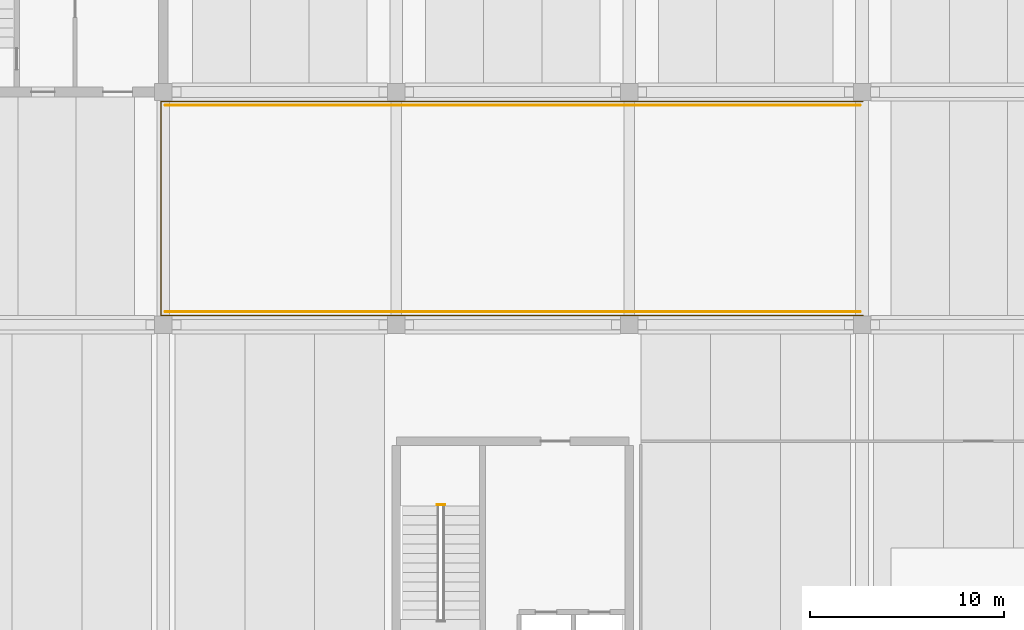
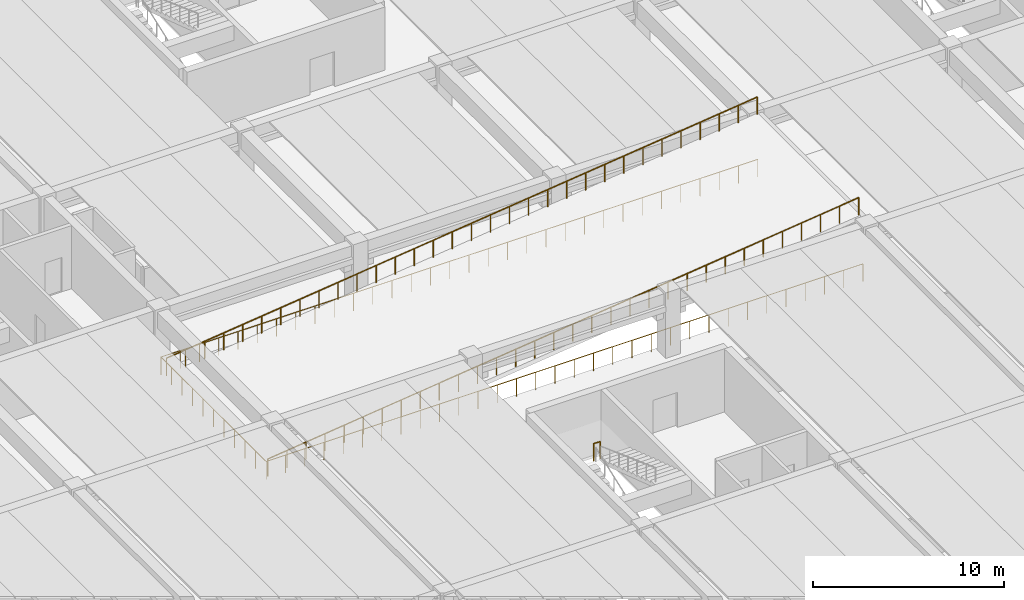
# One storey, part 46 of 50: 4 railings.
"""IFC4 building model written with IfcOpenShell, lengths in metres."""

from ifc_helpers import new_model, si_unit, direction, frame, origin, origin_2d, place, context, subcontext, project, spatial, circle, extrude, material, layer, layer_set, type_object, element, save


model = new_model("IFC4")

# Units and contexts
model_context = context("Model", 3, precision=1e-05, world=origin(), true_north=direction((0.0, 1.0)))
body_context = subcontext(model_context, "Body", "Model", "MODEL_VIEW")
ifc_project = project(units=[si_unit("LENGTHUNIT", "METRE"), si_unit("AREAUNIT", "SQUARE_METRE"), si_unit("VOLUMEUNIT", "CUBIC_METRE"), si_unit("PLANEANGLEUNIT", "RADIAN"), si_unit("MASSUNIT", "GRAM", prefix="KILO")], contexts=[model_context])

# Site, building, storey
site_placement = place(None, origin())
site = spatial("IfcSite", under=ifc_project, at=site_placement, CompositionType="ELEMENT")
building_placement = place(site_placement, origin())
building = spatial("IfcBuilding", under=site, at=building_placement, Name="Girod Span Mobility Hub", CompositionType="ELEMENT")
storey_placement = place(building_placement, frame((0.0, 0.0, 5.39990234375)))
storey = spatial("IfcBuildingStorey", under=building, at=storey_placement, Name="L01", CompositionType="ELEMENT", Elevation=5.39990234375)

# Railings
ifc_material_1 = material(Name="Painted Galvanised Steel", Category="steel")
ifc_layer_1 = layer(ifc_material_1, 0.06494140625)
ifc_layer_set_1 = layer_set([ifc_layer_1], Name="Painted Galvanised Steel")
railing_type_1 = type_object("IfcRailingType", Name="RL-GRD-1120", PredefinedType="GUARDRAIL", material=ifc_layer_set_1)
railing_1_placement = place(storey_placement, frame((60.10009765625, 45.679931640625, 0.0)))
element("IfcRailing", 1, at=railing_1_placement, inside=storey, type_object=railing_type_1, Name="Vehicular Ramp Guardrail L01-S", PredefinedType="GUARDRAIL", context=body_context, shape_type="SweptSolid", body=[
    extrude(circle(Radius=0.02392578125, at=origin_2d()), frame((0.0, 0.0, 1.09619140625), z_axis=(0.993187725485, 0.0, 0.116525284577), x_axis=(0.0, 1.0, 0.0)), (0.0, 0.0, 1.0), 36.04541015625),
    extrude(circle(Radius=0.02099609375, at=origin_2d()), origin(), (0.0, 0.0, 1.0), 1.072021484375),
    extrude(circle(Radius=0.02099609375, at=origin_2d()), frame((1.15478515625, 0.0, 0.135498046875)), (0.0, 0.0, 1.0), 1.072021484375),
    extrude(circle(Radius=0.02099609375, at=origin_2d()), frame((2.3095703125, 0.0, 0.27099609375)), (0.0, 0.0, 1.0), 1.072021484375),
    extrude(circle(Radius=0.02099609375, at=origin_2d()), frame((3.464599609375, 0.0, 0.406494140625)), (0.0, 0.0, 1.0), 1.072021484375),
    extrude(circle(Radius=0.02099609375, at=origin_2d()), frame((4.619384765625, 0.0, 0.5419921875)), (0.0, 0.0, 1.0), 1.072021484375),
    extrude(circle(Radius=0.02099609375, at=origin_2d()), frame((5.774169921875, 0.0, 0.677490234375)), (0.0, 0.0, 1.0), 1.072021484375),
    extrude(circle(Radius=0.02099609375, at=origin_2d()), frame((6.928955078125, 0.0, 0.81298828125)), (0.0, 0.0, 1.0), 1.072021484375),
    extrude(circle(Radius=0.02099609375, at=origin_2d()), frame((8.083740234375, 0.0, 0.948486328125)), (0.0, 0.0, 1.0), 1.072021484375),
    extrude(circle(Radius=0.02099609375, at=origin_2d()), frame((9.23876953125, 0.0, 1.083984375)), (0.0, 0.0, 1.0), 1.072021484375),
    extrude(circle(Radius=0.02099609375, at=origin_2d()), frame((10.3935546875, 0.0, 1.219482421875)), (0.0, 0.0, 1.0), 1.072021484375),
    extrude(circle(Radius=0.02099609375, at=origin_2d()), frame((11.54833984375, 0.0, 1.35498046875)), (0.0, 0.0, 1.0), 1.072021484375),
    extrude(circle(Radius=0.02099609375, at=origin_2d()), frame((12.703125, 0.0, 1.490478515625)), (0.0, 0.0, 1.0), 1.072021484375),
    extrude(circle(Radius=0.02099609375, at=origin_2d()), frame((13.85791015625, 0.0, 1.6259765625)), (0.0, 0.0, 1.0), 1.072021484375),
    extrude(circle(Radius=0.02099609375, at=origin_2d()), frame((15.012939453125, 0.0, 1.761474609375)), (0.0, 0.0, 1.0), 1.072021484375),
    extrude(circle(Radius=0.02099609375, at=origin_2d()), frame((16.167724609375, 0.0, 1.89697265625)), (0.0, 0.0, 1.0), 1.072021484375),
    extrude(circle(Radius=0.02099609375, at=origin_2d()), frame((17.322509765625, 0.0, 2.032470703125)), (0.0, 0.0, 1.0), 1.072021484375),
    extrude(circle(Radius=0.02099609375, at=origin_2d()), frame((18.477294921875, 0.0, 2.167724609375)), (0.0, 0.0, 1.0), 1.072021484375),
    extrude(circle(Radius=0.02099609375, at=origin_2d()), frame((19.632080078125, 0.0, 2.30322265625)), (0.0, 0.0, 1.0), 1.072021484375),
    extrude(circle(Radius=0.02099609375, at=origin_2d()), frame((20.786865234375, 0.0, 2.438720703125)), (0.0, 0.0, 1.0), 1.072021484375),
    extrude(circle(Radius=0.02099609375, at=origin_2d()), frame((21.94189453125, 0.0, 2.57421875)), (0.0, 0.0, 1.0), 1.072021484375),
    extrude(circle(Radius=0.02099609375, at=origin_2d()), frame((23.0966796875, 0.0, 2.709716796875)), (0.0, 0.0, 1.0), 1.072021484375),
    extrude(circle(Radius=0.02099609375, at=origin_2d()), frame((24.25146484375, 0.0, 2.84521484375)), (0.0, 0.0, 1.0), 1.072021484375),
    extrude(circle(Radius=0.02099609375, at=origin_2d()), frame((25.40625, 0.0, 2.980712890625)), (0.0, 0.0, 1.0), 1.072021484375),
    extrude(circle(Radius=0.02099609375, at=origin_2d()), frame((26.56103515625, 0.0, 3.1162109375)), (0.0, 0.0, 1.0), 1.072021484375),
    extrude(circle(Radius=0.02099609375, at=origin_2d()), frame((27.716064453125, 0.0, 3.251708984375)), (0.0, 0.0, 1.0), 1.072021484375),
    extrude(circle(Radius=0.02099609375, at=origin_2d()), frame((28.870849609375, 0.0, 3.38720703125)), (0.0, 0.0, 1.0), 1.072021484375),
    extrude(circle(Radius=0.02099609375, at=origin_2d()), frame((30.025634765625, 0.0, 3.522705078125)), (0.0, 0.0, 1.0), 1.072021484375),
    extrude(circle(Radius=0.02099609375, at=origin_2d()), frame((31.180419921875, 0.0, 3.658203125)), (0.0, 0.0, 1.0), 1.072021484375),
    extrude(circle(Radius=0.02099609375, at=origin_2d()), frame((32.335205078125, 0.0, 3.793701171875)), (0.0, 0.0, 1.0), 1.072021484375),
    extrude(circle(Radius=0.02099609375, at=origin_2d()), frame((33.490234375, 0.0, 3.92919921875)), (0.0, 0.0, 1.0), 1.072021484375),
    extrude(circle(Radius=0.02099609375, at=origin_2d()), frame((34.64501953125, 0.0, 4.064697265625)), (0.0, 0.0, 1.0), 1.072021484375),
    extrude(circle(Radius=0.02099609375, at=origin_2d()), frame((35.7998046875, 0.0, 4.2001953125)), (0.0, 0.0, 1.0), 1.072021484375),
])
railing_2_placement = place(storey_placement, frame((60.10009765625, 56.320068359375, 0.0)))
element("IfcRailing", 2, at=railing_2_placement, inside=storey, type_object=railing_type_1, Name="Vehicular Ramp Guardrail L01-N", PredefinedType="GUARDRAIL", context=body_context, shape_type="SweptSolid", body=[
    extrude(circle(Radius=0.02392578125, at=origin_2d()), frame((0.0, 0.0, 1.09619140625), z_axis=(0.993187725485, 0.0, 0.116525284577), x_axis=(0.0, 1.0, 0.0)), (0.0, 0.0, 1.0), 36.04541015625),
    extrude(circle(Radius=0.02099609375, at=origin_2d()), origin(), (0.0, 0.0, 1.0), 1.072021484375),
    extrude(circle(Radius=0.02099609375, at=origin_2d()), frame((1.15478515625, 0.0, 0.135498046875)), (0.0, 0.0, 1.0), 1.072021484375),
    extrude(circle(Radius=0.02099609375, at=origin_2d()), frame((2.3095703125, 0.0, 0.27099609375)), (0.0, 0.0, 1.0), 1.072021484375),
    extrude(circle(Radius=0.02099609375, at=origin_2d()), frame((3.464599609375, 0.0, 0.406494140625)), (0.0, 0.0, 1.0), 1.072021484375),
    extrude(circle(Radius=0.02099609375, at=origin_2d()), frame((4.619384765625, 0.0, 0.5419921875)), (0.0, 0.0, 1.0), 1.072021484375),
    extrude(circle(Radius=0.02099609375, at=origin_2d()), frame((5.774169921875, 0.0, 0.677490234375)), (0.0, 0.0, 1.0), 1.072021484375),
    extrude(circle(Radius=0.02099609375, at=origin_2d()), frame((6.928955078125, 0.0, 0.81298828125)), (0.0, 0.0, 1.0), 1.072021484375),
    extrude(circle(Radius=0.02099609375, at=origin_2d()), frame((8.083740234375, 0.0, 0.948486328125)), (0.0, 0.0, 1.0), 1.072021484375),
    extrude(circle(Radius=0.02099609375, at=origin_2d()), frame((9.23876953125, 0.0, 1.083984375)), (0.0, 0.0, 1.0), 1.072021484375),
    extrude(circle(Radius=0.02099609375, at=origin_2d()), frame((10.3935546875, 0.0, 1.219482421875)), (0.0, 0.0, 1.0), 1.072021484375),
    extrude(circle(Radius=0.02099609375, at=origin_2d()), frame((11.54833984375, 0.0, 1.35498046875)), (0.0, 0.0, 1.0), 1.072021484375),
    extrude(circle(Radius=0.02099609375, at=origin_2d()), frame((12.703125, 0.0, 1.490478515625)), (0.0, 0.0, 1.0), 1.072021484375),
    extrude(circle(Radius=0.02099609375, at=origin_2d()), frame((13.85791015625, 0.0, 1.6259765625)), (0.0, 0.0, 1.0), 1.072021484375),
    extrude(circle(Radius=0.02099609375, at=origin_2d()), frame((15.012939453125, 0.0, 1.761474609375)), (0.0, 0.0, 1.0), 1.072021484375),
    extrude(circle(Radius=0.02099609375, at=origin_2d()), frame((16.167724609375, 0.0, 1.89697265625)), (0.0, 0.0, 1.0), 1.072021484375),
    extrude(circle(Radius=0.02099609375, at=origin_2d()), frame((17.322509765625, 0.0, 2.032470703125)), (0.0, 0.0, 1.0), 1.072021484375),
    extrude(circle(Radius=0.02099609375, at=origin_2d()), frame((18.477294921875, 0.0, 2.167724609375)), (0.0, 0.0, 1.0), 1.072021484375),
    extrude(circle(Radius=0.02099609375, at=origin_2d()), frame((19.632080078125, 0.0, 2.30322265625)), (0.0, 0.0, 1.0), 1.072021484375),
    extrude(circle(Radius=0.02099609375, at=origin_2d()), frame((20.786865234375, 0.0, 2.438720703125)), (0.0, 0.0, 1.0), 1.072021484375),
    extrude(circle(Radius=0.02099609375, at=origin_2d()), frame((21.94189453125, 0.0, 2.57421875)), (0.0, 0.0, 1.0), 1.072021484375),
    extrude(circle(Radius=0.02099609375, at=origin_2d()), frame((23.0966796875, 0.0, 2.709716796875)), (0.0, 0.0, 1.0), 1.072021484375),
    extrude(circle(Radius=0.02099609375, at=origin_2d()), frame((24.25146484375, 0.0, 2.84521484375)), (0.0, 0.0, 1.0), 1.072021484375),
    extrude(circle(Radius=0.02099609375, at=origin_2d()), frame((25.40625, 0.0, 2.980712890625)), (0.0, 0.0, 1.0), 1.072021484375),
    extrude(circle(Radius=0.02099609375, at=origin_2d()), frame((26.56103515625, 0.0, 3.1162109375)), (0.0, 0.0, 1.0), 1.072021484375),
    extrude(circle(Radius=0.02099609375, at=origin_2d()), frame((27.716064453125, 0.0, 3.251708984375)), (0.0, 0.0, 1.0), 1.072021484375),
    extrude(circle(Radius=0.02099609375, at=origin_2d()), frame((28.870849609375, 0.0, 3.38720703125)), (0.0, 0.0, 1.0), 1.072021484375),
    extrude(circle(Radius=0.02099609375, at=origin_2d()), frame((30.025634765625, 0.0, 3.522705078125)), (0.0, 0.0, 1.0), 1.072021484375),
    extrude(circle(Radius=0.02099609375, at=origin_2d()), frame((31.180419921875, 0.0, 3.658203125)), (0.0, 0.0, 1.0), 1.072021484375),
    extrude(circle(Radius=0.02099609375, at=origin_2d()), frame((32.335205078125, 0.0, 3.793701171875)), (0.0, 0.0, 1.0), 1.072021484375),
    extrude(circle(Radius=0.02099609375, at=origin_2d()), frame((33.490234375, 0.0, 3.92919921875)), (0.0, 0.0, 1.0), 1.072021484375),
    extrude(circle(Radius=0.02099609375, at=origin_2d()), frame((34.64501953125, 0.0, 4.064697265625)), (0.0, 0.0, 1.0), 1.072021484375),
    extrude(circle(Radius=0.02099609375, at=origin_2d()), frame((35.7998046875, 0.0, 4.2001953125)), (0.0, 0.0, 1.0), 1.072021484375),
])
railing_3_placement = place(storey_placement, frame((74.10009765625, 35.739990234375, 2.10009765625)))
element("IfcRailing", 3, at=railing_3_placement, inside=storey, type_object=railing_type_1, Name="Stair ST-3 Half-Landing Well Guard L01", PredefinedType="GUARDRAIL", context=body_context, shape_type="SweptSolid", body=[
    extrude(circle(Radius=0.02392578125, at=origin_2d()), frame((0.0, 0.0, 1.09619140625), z_axis=(1.0, 0.0, 0.0), x_axis=(0.0, 1.0, 0.0)), (0.0, 0.0, 1.0), 0.39990234375),
    extrude(circle(Radius=0.02099609375, at=origin_2d()), origin(), (0.0, 0.0, 1.0), 1.072021484375),
    extrude(circle(Radius=0.02099609375, at=origin_2d()), frame((0.39990234375, 0.0, 0.0)), (0.0, 0.0, 1.0), 1.072021484375),
])
ifc_material_2 = material(Name="Painted Galvanised Steel", Category="steel")
ifc_layer_2 = layer(ifc_material_2, 0.074951171875)
ifc_layer_set_2 = layer_set([ifc_layer_2], Name="Painted Galvanised Steel")
railing_type_2 = type_object("IfcRailingType", Name="RL-GRD-1150", PredefinedType="GUARDRAIL", material=ifc_layer_set_2)
railing_4_placement = place(storey_placement, frame((96.050048828125, 45.47998046875, 0.0)))
element("IfcRailing", 4, at=railing_4_placement, inside=storey, type_object=railing_type_2, Name="Ramp Well Deck Guardrail L01", PredefinedType="GUARDRAIL", context=body_context, shape_type="SweptSolid", body=[
    extrude(circle(Radius=0.02392578125, at=origin_2d()), frame((0.0, 0.0, 1.1259765625), z_axis=(-1.0, 0.0, 0.0), x_axis=(0.0, -1.0, 0.0)), (0.0, 0.0, 1.0), 36.170166015625),
    extrude(circle(Radius=0.02392578125, at=origin_2d()), frame((-36.170166015625, 0.0, 1.1259765625), z_axis=(0.0, 1.0, 0.0), x_axis=(-1.0, 0.0, 0.0)), (0.0, 0.0, 1.0), 11.0400390625),
    extrude(circle(Radius=0.02392578125, at=origin_2d()), frame((-36.170166015625, 11.0400390625, 1.1259765625), z_axis=(1.0, 0.0, 0.0), x_axis=(0.0, 1.0, 0.0)), (0.0, 0.0, 1.0), 36.170166015625),
    extrude(circle(Radius=0.02099609375, at=origin_2d()), origin(), (0.0, 0.0, 1.0), 1.101806640625),
    extrude(circle(Radius=0.02099609375, at=origin_2d()), frame((-1.166748046875, 0.0, 0.0)), (0.0, 0.0, 1.0), 1.101806640625),
    extrude(circle(Radius=0.02099609375, at=origin_2d()), frame((-2.33349609375, 0.0, 0.0)), (0.0, 0.0, 1.0), 1.101806640625),
    extrude(circle(Radius=0.02099609375, at=origin_2d()), frame((-3.500244140625, 0.0, 0.0)), (0.0, 0.0, 1.0), 1.101806640625),
    extrude(circle(Radius=0.02099609375, at=origin_2d()), frame((-4.667236328125, 0.0, 0.0)), (0.0, 0.0, 1.0), 1.101806640625),
    extrude(circle(Radius=0.02099609375, at=origin_2d()), frame((-5.833984375, 0.0, 0.0)), (0.0, 0.0, 1.0), 1.101806640625),
    extrude(circle(Radius=0.02099609375, at=origin_2d()), frame((-7.000732421875, 0.0, 0.0)), (0.0, 0.0, 1.0), 1.101806640625),
    extrude(circle(Radius=0.02099609375, at=origin_2d()), frame((-8.16748046875, 0.0, 0.0)), (0.0, 0.0, 1.0), 1.101806640625),
    extrude(circle(Radius=0.02099609375, at=origin_2d()), frame((-9.334228515625, 0.0, 0.0)), (0.0, 0.0, 1.0), 1.101806640625),
    extrude(circle(Radius=0.02099609375, at=origin_2d()), frame((-10.5009765625, 0.0, 0.0)), (0.0, 0.0, 1.0), 1.101806640625),
    extrude(circle(Radius=0.02099609375, at=origin_2d()), frame((-11.667724609375, 0.0, 0.0)), (0.0, 0.0, 1.0), 1.101806640625),
    extrude(circle(Radius=0.02099609375, at=origin_2d()), frame((-12.83447265625, 0.0, 0.0)), (0.0, 0.0, 1.0), 1.101806640625),
    extrude(circle(Radius=0.02099609375, at=origin_2d()), frame((-14.00146484375, 0.0, 0.0)), (0.0, 0.0, 1.0), 1.101806640625),
    extrude(circle(Radius=0.02099609375, at=origin_2d()), frame((-15.168212890625, 0.0, 0.0)), (0.0, 0.0, 1.0), 1.101806640625),
    extrude(circle(Radius=0.02099609375, at=origin_2d()), frame((-16.3349609375, 0.0, 0.0)), (0.0, 0.0, 1.0), 1.101806640625),
    extrude(circle(Radius=0.02099609375, at=origin_2d()), frame((-17.501708984375, 0.0, 0.0)), (0.0, 0.0, 1.0), 1.101806640625),
    extrude(circle(Radius=0.02099609375, at=origin_2d()), frame((-18.66845703125, 0.0, 0.0)), (0.0, 0.0, 1.0), 1.101806640625),
    extrude(circle(Radius=0.02099609375, at=origin_2d()), frame((-19.835205078125, 0.0, 0.0)), (0.0, 0.0, 1.0), 1.101806640625),
    extrude(circle(Radius=0.02099609375, at=origin_2d()), frame((-21.001953125, 0.0, 0.0)), (0.0, 0.0, 1.0), 1.101806640625),
    extrude(circle(Radius=0.02099609375, at=origin_2d()), frame((-22.168701171875, 0.0, 0.0)), (0.0, 0.0, 1.0), 1.101806640625),
    extrude(circle(Radius=0.02099609375, at=origin_2d()), frame((-23.335693359375, 0.0, 0.0)), (0.0, 0.0, 1.0), 1.101806640625),
    extrude(circle(Radius=0.02099609375, at=origin_2d()), frame((-24.50244140625, 0.0, 0.0)), (0.0, 0.0, 1.0), 1.101806640625),
    extrude(circle(Radius=0.02099609375, at=origin_2d()), frame((-25.669189453125, 0.0, 0.0)), (0.0, 0.0, 1.0), 1.101806640625),
    extrude(circle(Radius=0.02099609375, at=origin_2d()), frame((-26.8359375, 0.0, 0.0)), (0.0, 0.0, 1.0), 1.101806640625),
    extrude(circle(Radius=0.02099609375, at=origin_2d()), frame((-28.002685546875, 0.0, 0.0)), (0.0, 0.0, 1.0), 1.101806640625),
    extrude(circle(Radius=0.02099609375, at=origin_2d()), frame((-29.16943359375, 0.0, 0.0)), (0.0, 0.0, 1.0), 1.101806640625),
    extrude(circle(Radius=0.02099609375, at=origin_2d()), frame((-30.336181640625, 0.0, 0.0)), (0.0, 0.0, 1.0), 1.101806640625),
    extrude(circle(Radius=0.02099609375, at=origin_2d()), frame((-31.5029296875, 0.0, 0.0)), (0.0, 0.0, 1.0), 1.101806640625),
    extrude(circle(Radius=0.02099609375, at=origin_2d()), frame((-32.669921875, 0.0, 0.0)), (0.0, 0.0, 1.0), 1.101806640625),
    extrude(circle(Radius=0.02099609375, at=origin_2d()), frame((-33.836669921875, 0.0, 0.0)), (0.0, 0.0, 1.0), 1.101806640625),
    extrude(circle(Radius=0.02099609375, at=origin_2d()), frame((-35.00341796875, 0.0, 0.0)), (0.0, 0.0, 1.0), 1.101806640625),
    extrude(circle(Radius=0.02099609375, at=origin_2d()), frame((-36.170166015625, 0.0, 0.0)), (0.0, 0.0, 1.0), 1.101806640625),
    extrude(circle(Radius=0.02099609375, at=origin_2d()), frame((-36.170166015625, 1.10400390625, 0.0)), (0.0, 0.0, 1.0), 1.101806640625),
    extrude(circle(Radius=0.02099609375, at=origin_2d()), frame((-36.170166015625, 2.2080078125, 0.0)), (0.0, 0.0, 1.0), 1.101806640625),
    extrude(circle(Radius=0.02099609375, at=origin_2d()), frame((-36.170166015625, 3.31201171875, 0.0)), (0.0, 0.0, 1.0), 1.101806640625),
    extrude(circle(Radius=0.02099609375, at=origin_2d()), frame((-36.170166015625, 4.416015625, 0.0)), (0.0, 0.0, 1.0), 1.101806640625),
    extrude(circle(Radius=0.02099609375, at=origin_2d()), frame((-36.170166015625, 5.52001953125, 0.0)), (0.0, 0.0, 1.0), 1.101806640625),
    extrude(circle(Radius=0.02099609375, at=origin_2d()), frame((-36.170166015625, 6.6240234375, 0.0)), (0.0, 0.0, 1.0), 1.101806640625),
    extrude(circle(Radius=0.02099609375, at=origin_2d()), frame((-36.170166015625, 7.72802734375, 0.0)), (0.0, 0.0, 1.0), 1.101806640625),
    extrude(circle(Radius=0.02099609375, at=origin_2d()), frame((-36.170166015625, 8.83203125, 0.0)), (0.0, 0.0, 1.0), 1.101806640625),
    extrude(circle(Radius=0.02099609375, at=origin_2d()), frame((-36.170166015625, 9.93603515625, 0.0)), (0.0, 0.0, 1.0), 1.101806640625),
    extrude(circle(Radius=0.02099609375, at=origin_2d()), frame((-36.170166015625, 11.0400390625, 0.0)), (0.0, 0.0, 1.0), 1.101806640625),
    extrude(circle(Radius=0.02099609375, at=origin_2d()), frame((-35.00341796875, 11.0400390625, 0.0)), (0.0, 0.0, 1.0), 1.101806640625),
    extrude(circle(Radius=0.02099609375, at=origin_2d()), frame((-33.836669921875, 11.0400390625, 0.0)), (0.0, 0.0, 1.0), 1.101806640625),
    extrude(circle(Radius=0.02099609375, at=origin_2d()), frame((-32.669921875, 11.0400390625, 0.0)), (0.0, 0.0, 1.0), 1.101806640625),
    extrude(circle(Radius=0.02099609375, at=origin_2d()), frame((-31.5029296875, 11.0400390625, 0.0)), (0.0, 0.0, 1.0), 1.101806640625),
    extrude(circle(Radius=0.02099609375, at=origin_2d()), frame((-30.336181640625, 11.0400390625, 0.0)), (0.0, 0.0, 1.0), 1.101806640625),
    extrude(circle(Radius=0.02099609375, at=origin_2d()), frame((-29.16943359375, 11.0400390625, 0.0)), (0.0, 0.0, 1.0), 1.101806640625),
    extrude(circle(Radius=0.02099609375, at=origin_2d()), frame((-28.002685546875, 11.0400390625, 0.0)), (0.0, 0.0, 1.0), 1.101806640625),
    extrude(circle(Radius=0.02099609375, at=origin_2d()), frame((-26.8359375, 11.0400390625, 0.0)), (0.0, 0.0, 1.0), 1.101806640625),
    extrude(circle(Radius=0.02099609375, at=origin_2d()), frame((-25.669189453125, 11.0400390625, 0.0)), (0.0, 0.0, 1.0), 1.101806640625),
    extrude(circle(Radius=0.02099609375, at=origin_2d()), frame((-24.50244140625, 11.0400390625, 0.0)), (0.0, 0.0, 1.0), 1.101806640625),
    extrude(circle(Radius=0.02099609375, at=origin_2d()), frame((-23.335693359375, 11.0400390625, 0.0)), (0.0, 0.0, 1.0), 1.101806640625),
    extrude(circle(Radius=0.02099609375, at=origin_2d()), frame((-22.168701171875, 11.0400390625, 0.0)), (0.0, 0.0, 1.0), 1.101806640625),
    extrude(circle(Radius=0.02099609375, at=origin_2d()), frame((-21.001953125, 11.0400390625, 0.0)), (0.0, 0.0, 1.0), 1.101806640625),
    extrude(circle(Radius=0.02099609375, at=origin_2d()), frame((-19.835205078125, 11.0400390625, 0.0)), (0.0, 0.0, 1.0), 1.101806640625),
    extrude(circle(Radius=0.02099609375, at=origin_2d()), frame((-18.66845703125, 11.0400390625, 0.0)), (0.0, 0.0, 1.0), 1.101806640625),
    extrude(circle(Radius=0.02099609375, at=origin_2d()), frame((-17.501708984375, 11.0400390625, 0.0)), (0.0, 0.0, 1.0), 1.101806640625),
    extrude(circle(Radius=0.02099609375, at=origin_2d()), frame((-16.3349609375, 11.0400390625, 0.0)), (0.0, 0.0, 1.0), 1.101806640625),
    extrude(circle(Radius=0.02099609375, at=origin_2d()), frame((-15.168212890625, 11.0400390625, 0.0)), (0.0, 0.0, 1.0), 1.101806640625),
    extrude(circle(Radius=0.02099609375, at=origin_2d()), frame((-14.00146484375, 11.0400390625, 0.0)), (0.0, 0.0, 1.0), 1.101806640625),
    extrude(circle(Radius=0.02099609375, at=origin_2d()), frame((-12.83447265625, 11.0400390625, 0.0)), (0.0, 0.0, 1.0), 1.101806640625),
    extrude(circle(Radius=0.02099609375, at=origin_2d()), frame((-11.667724609375, 11.0400390625, 0.0)), (0.0, 0.0, 1.0), 1.101806640625),
    extrude(circle(Radius=0.02099609375, at=origin_2d()), frame((-10.5009765625, 11.0400390625, 0.0)), (0.0, 0.0, 1.0), 1.101806640625),
    extrude(circle(Radius=0.02099609375, at=origin_2d()), frame((-9.334228515625, 11.0400390625, 0.0)), (0.0, 0.0, 1.0), 1.101806640625),
    extrude(circle(Radius=0.02099609375, at=origin_2d()), frame((-8.16748046875, 11.0400390625, 0.0)), (0.0, 0.0, 1.0), 1.101806640625),
    extrude(circle(Radius=0.02099609375, at=origin_2d()), frame((-7.000732421875, 11.0400390625, 0.0)), (0.0, 0.0, 1.0), 1.101806640625),
    extrude(circle(Radius=0.02099609375, at=origin_2d()), frame((-5.833984375, 11.0400390625, 0.0)), (0.0, 0.0, 1.0), 1.101806640625),
    extrude(circle(Radius=0.02099609375, at=origin_2d()), frame((-4.667236328125, 11.0400390625, 0.0)), (0.0, 0.0, 1.0), 1.101806640625),
    extrude(circle(Radius=0.02099609375, at=origin_2d()), frame((-3.500244140625, 11.0400390625, 0.0)), (0.0, 0.0, 1.0), 1.101806640625),
    extrude(circle(Radius=0.02099609375, at=origin_2d()), frame((-2.33349609375, 11.0400390625, 0.0)), (0.0, 0.0, 1.0), 1.101806640625),
    extrude(circle(Radius=0.02099609375, at=origin_2d()), frame((-1.166748046875, 11.0400390625, 0.0)), (0.0, 0.0, 1.0), 1.101806640625),
    extrude(circle(Radius=0.02099609375, at=origin_2d()), frame((0.0, 11.0400390625, 0.0)), (0.0, 0.0, 1.0), 1.101806640625),
])

save(model, "model.ifc")
